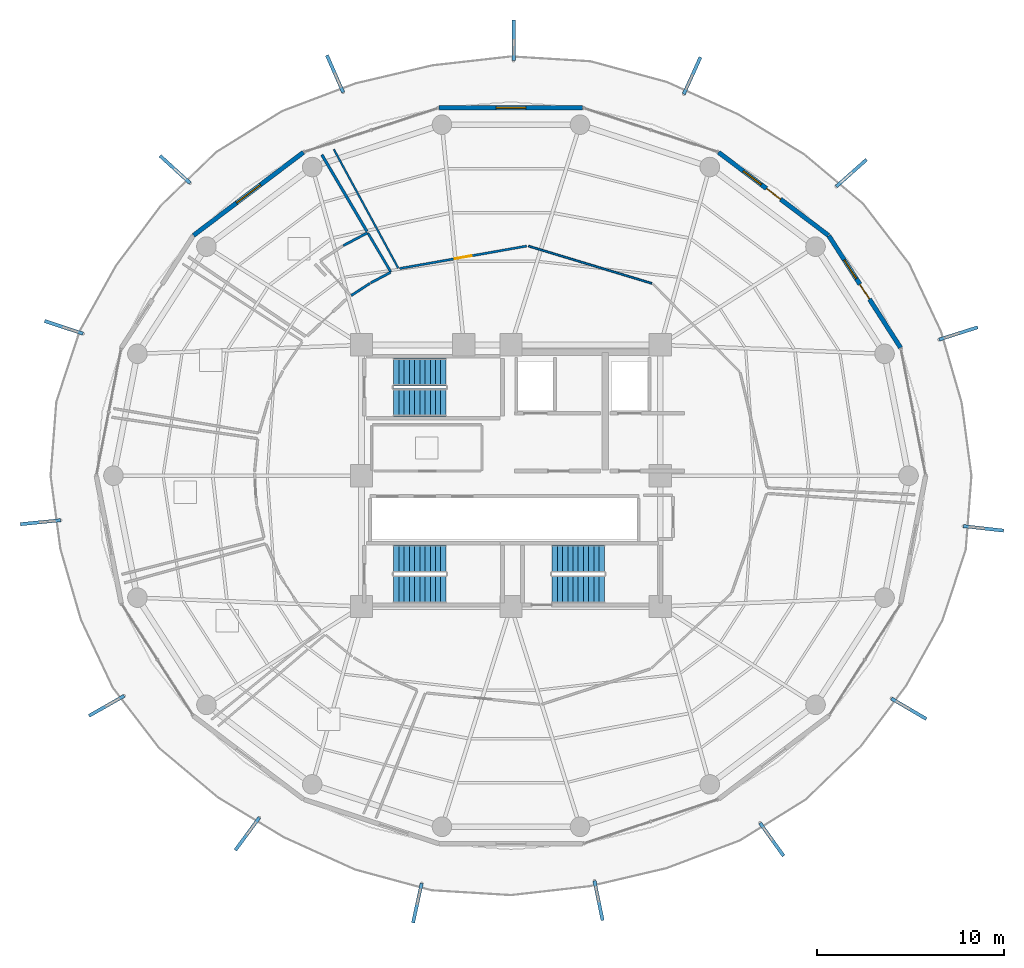
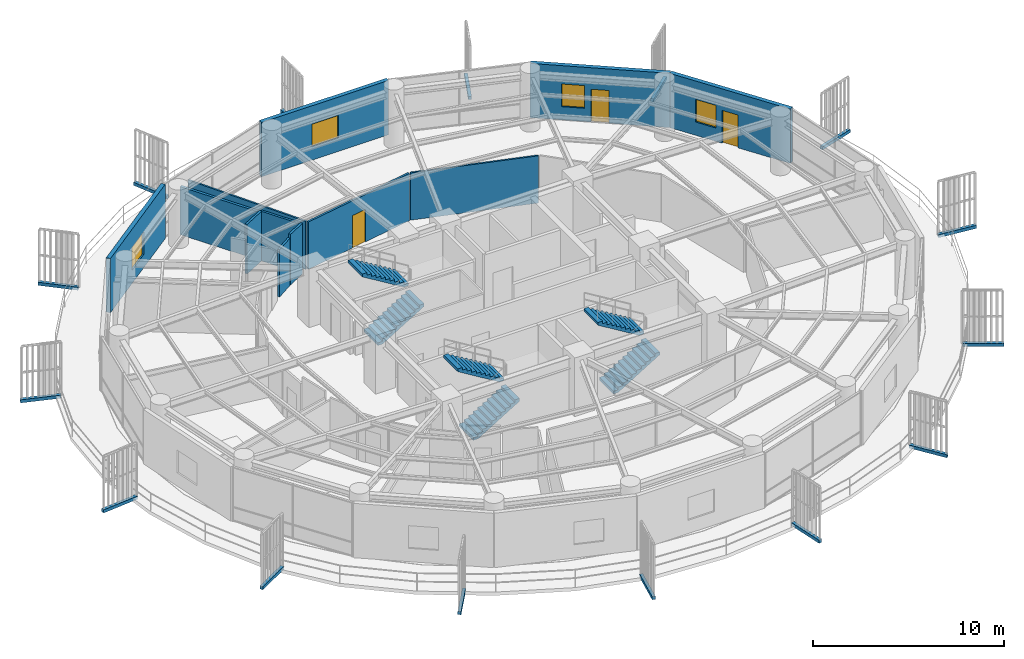
# One storey, part 27 of 31: 15 discrete accessories, 12 walls, 6 stair flights, 4 windows, 3 doors, 7 openings, 3 elements without a shape of their own.
"""IFC4 building model written with IfcOpenShell, lengths in metres."""

from ifc_helpers import new_model, si_unit, direction, frame, frame_2d, origin, origin_2d, place, context, subcontext, project, spatial, polyline, rectangle, outline, extrude, source, transform, mapped, material, layer, layer_set, type_object, element, fill, aggregate, save


model = new_model("IFC4")

# Units and contexts
model_context = context("Model", 3, precision=1e-05, world=origin(), true_north=direction((0.0, 1.0)))
body_context = subcontext(model_context, "Body", "Model", "MODEL_VIEW")
ifc_project = project(units=[si_unit("LENGTHUNIT", "METRE"), si_unit("AREAUNIT", "SQUARE_METRE"), si_unit("VOLUMEUNIT", "CUBIC_METRE"), si_unit("PLANEANGLEUNIT", "RADIAN"), si_unit("MASSUNIT", "GRAM", prefix="KILO")], contexts=[model_context])

# Site, building, storey
site_placement = place(None, origin())
site = spatial("IfcSite", under=ifc_project, at=site_placement, CompositionType="ELEMENT")
building_placement = place(site_placement, origin())
building = spatial("IfcBuilding", under=site, at=building_placement, Name="Kelanora Arch Commons", CompositionType="ELEMENT")
storey_placement = place(building_placement, frame((0.0, 0.0, 193.199951171875)))
storey = spatial("IfcBuildingStorey", under=building, at=storey_placement, Name="L49", CompositionType="ELEMENT", Elevation=193.199951171875)

# Wall
ifc_material_1 = material(Name="Autoclaved aerated concrete blockwork with fire plaster", Category="masonry")
ifc_layer_1 = layer(ifc_material_1, 0.14990234375)
ifc_layer_set_1 = layer_set([ifc_layer_1], Name="Autoclaved aerated concrete blockwork with fire plaster")
wall_type_1 = type_object("IfcWallType", Name="W-COMP-150", PredefinedType="PARTITIONING", material=ifc_layer_set_1)
wall_1_placement = place(storey_placement, frame((63.875244140625, 75.181396484375, 0.0), z_axis=(0.0, 0.0, 1.0), x_axis=(0.507441443334, -0.861686243123, 0.0)))
element("IfcWall", 1, at=wall_1_placement, inside=storey, type_object=wall_type_1, Name="Co-Living Studio L49-01 Enclosure Partition 5", PredefinedType="PARTITIONING", context=body_context, shape_type="SweptSolid", body=[
    extrude(rectangle(XDim=4.76025390625, YDim=0.14990234375, at=frame_2d((2.380126953125, 0.0))), origin(), (0.0, 0.0, 1.0), 3.074951171875),
])

# Wall, openings, door, window
ifc_material_2 = material(Name="Precast concrete C40/50 upper-zone terracotta rainscreen", Category="masonry")
ifc_layer_2 = layer(ifc_material_2, 0.239990234375)
ifc_layer_set_2 = layer_set([ifc_layer_2], Name="Precast concrete C40/50 upper-zone terracotta rainscreen")
wall_type_2 = type_object("IfcWallType", Name="W-EXT-TC2", PredefinedType="SOLIDWALL", material=ifc_layer_set_2)
wall_2_placement = place(storey_placement, frame((94.85302734375, 64.85302734375, 0.0), z_axis=(0.0, 0.0, 1.0), x_axis=(-0.539539512973, 0.841960280501, 0.0)))
wall_2 = element("IfcWall", 2, at=wall_2_placement, inside=storey, type_object=wall_type_2, Name="Terracotta Exterior Wall L49-B01", PredefinedType="SOLIDWALL", context=body_context, shape_type="SweptSolid", body=[
    extrude(rectangle(XDim=7.11474609375, YDim=0.239990234375, at=frame_2d((3.557373046875, 0.0))), origin(), (0.0, 0.0, 1.0), 3.47509765625),
])
opening_1_placement = place(wall_2_placement, frame((3.08203125, 0.0, 0.0)))
opening_1 = element("IfcOpeningElement", 3, at=opening_1_placement, cuts=wall_2, Name="Opening DB-01", PredefinedType="OPENING", context=body_context, shape_type="SweptSolid", body=[
    extrude(rectangle(XDim=0.949951171875, YDim=2.10009765625, at=frame_2d((0.47509765625, 1.050048828125))), frame((0.0, 0.1298828125, 0.0), z_axis=(0.0, -1.0, 0.0), x_axis=(1.0, 0.0, 0.0)), (0.0, 0.0, 1.0), 0.260009765625),
])
opening_2_placement = place(wall_2_placement, frame((4.382080078125, 0.0, 0.85009765625)))
opening_2 = element("IfcOpeningElement", 4, at=opening_2_placement, cuts=wall_2, Name="Opening WN-02", PredefinedType="OPENING", context=body_context, shape_type="SweptSolid", body=[
    extrude(rectangle(XDim=1.199951171875, YDim=1.449951171875, at=frame_2d((0.60009765625, 0.72509765625))), frame((0.0, 0.1298828125, 0.0), z_axis=(0.0, -1.0, 0.0), x_axis=(1.0, 0.0, 0.0)), (0.0, 0.0, 1.0), 0.260009765625),
])
ifc_material_3 = material(Name="Terracotta-aluminium thermally broken glazed balcony door", Category="masonry")
door_type_1 = type_object("IfcDoorType", Name="D-BAL-10", OperationType="NOTDEFINED", PredefinedType="DOOR", material=ifc_material_3)
door_1_placement = place(opening_1_placement, frame((0.949951171875, 0.0, 0.0), z_axis=(0.0, 0.0, 1.0), x_axis=(-1.0, 0.0, 0.0)))
door_1 = element("IfcDoor", 5, at=door_1_placement, inside=storey, type_object=door_type_1, Name="Wave Balcony Door L49-B01", OperationType="SINGLE_SWING_LEFT", OverallHeight=2.10009765625, OverallWidth=0.949951171875, PredefinedType="DOOR", context=body_context, shape_type="SweptSolid", body=[
    extrude(rectangle(XDim=0.949951171875, YDim=2.10009765625, at=frame_2d((0.47509765625, 1.050048828125))), frame((0.0, 0.02490234375, 0.0), z_axis=(0.0, -1.0, 0.0), x_axis=(1.0, 0.0, 0.0)), (0.0, 0.0, 1.0), 0.050048828125),
])
fill(opening_1, door_1)
ifc_material_4 = material(Name="Terracotta-anodised aluminium frame with operable awning sash", Category="masonry")
window_type_1 = type_object("IfcWindowType", Name="WIN-CL-12", PartitioningType="SINGLE_PANEL", PredefinedType="WINDOW", material=ifc_material_4)
window_1_placement = place(opening_2_placement, origin())
window_1 = element("IfcWindow", 6, at=window_1_placement, inside=storey, type_object=window_type_1, Name="Co-Living Operable Window L49-B01", OverallHeight=1.449951171875, OverallWidth=1.199951171875, PartitioningType="SINGLE_PANEL", PredefinedType="WINDOW", context=body_context, shape_type="SweptSolid", body=[
    extrude(rectangle(XDim=1.199951171875, YDim=1.449951171875, at=frame_2d((0.60009765625, 0.72509765625))), frame((0.0, 0.030029296875, 0.0), z_axis=(0.0, -1.0, 0.0), x_axis=(1.0, 0.0, 0.0)), (0.0, 0.0, 1.0), 0.06005859375),
])
fill(opening_2, window_1)

wall_3_placement = place(storey_placement, frame((90.994140625, 70.86474609375, 0.0), z_axis=(0.0, 0.0, 1.0), x_axis=(-0.797701674595, 0.603052268338, 0.0)))
wall_3 = element("IfcWall", 7, at=wall_3_placement, inside=storey, type_object=wall_type_2, Name="Terracotta Exterior Wall L49-B02", PredefinedType="SOLIDWALL", context=body_context, shape_type="SweptSolid", body=[
    extrude(rectangle(XDim=7.373779296875, YDim=0.239990234375, at=frame_2d((3.68701171875, 0.0))), origin(), (0.0, 0.0, 1.0), 3.47509765625),
])
opening_3_placement = place(wall_3_placement, frame((3.2119140625, 0.0, 0.0)))
opening_3 = element("IfcOpeningElement", 8, at=opening_3_placement, cuts=wall_3, Name="Opening DB-01", PredefinedType="OPENING", context=body_context, shape_type="SweptSolid", body=[
    extrude(rectangle(XDim=0.949951171875, YDim=2.10009765625, at=frame_2d((0.47509765625, 1.050048828125))), frame((0.0, 0.1298828125, 0.0), z_axis=(0.0, -1.0, 0.0), x_axis=(1.0, 0.0, 0.0)), (0.0, 0.0, 1.0), 0.260009765625),
])
opening_4_placement = place(wall_3_placement, frame((4.511962890625, 0.0, 0.85009765625)))
opening_4 = element("IfcOpeningElement", 9, at=opening_4_placement, cuts=wall_3, Name="Opening WN-02", PredefinedType="OPENING", context=body_context, shape_type="SweptSolid", body=[
    extrude(rectangle(XDim=1.199951171875, YDim=1.449951171875, at=frame_2d((0.60009765625, 0.72509765625))), frame((0.0, 0.1298828125, 0.0), z_axis=(0.0, -1.0, 0.0), x_axis=(1.0, 0.0, 0.0)), (0.0, 0.0, 1.0), 0.260009765625),
])
door_2_placement = place(opening_3_placement, frame((0.949951171875, 0.0, 0.0), z_axis=(0.0, 0.0, 1.0), x_axis=(-1.0, 0.0, 0.0)))
door_2 = element("IfcDoor", 10, at=door_2_placement, inside=storey, type_object=door_type_1, Name="Wave Balcony Door L49-B02", OperationType="SINGLE_SWING_RIGHT", OverallHeight=2.10009765625, OverallWidth=0.949951171875, PredefinedType="DOOR", context=body_context, shape_type="SweptSolid", body=[
    extrude(rectangle(XDim=0.949951171875, YDim=2.10009765625, at=frame_2d((0.47509765625, 1.050048828125))), frame((0.0, 0.02490234375, 0.0), z_axis=(0.0, -1.0, 0.0), x_axis=(1.0, 0.0, 0.0)), (0.0, 0.0, 1.0), 0.050048828125),
])
fill(opening_3, door_2)
window_2_placement = place(opening_4_placement, origin())
window_2 = element("IfcWindow", 11, at=window_2_placement, inside=storey, type_object=window_type_1, Name="Co-Living Operable Window L49-B02", OverallHeight=1.449951171875, OverallWidth=1.199951171875, PartitioningType="SINGLE_PANEL", PredefinedType="WINDOW", context=body_context, shape_type="SweptSolid", body=[
    extrude(rectangle(XDim=1.199951171875, YDim=1.449951171875, at=frame_2d((0.60009765625, 0.72509765625))), frame((0.0, 0.030029296875, 0.0), z_axis=(0.0, -1.0, 0.0), x_axis=(1.0, 0.0, 0.0)), (0.0, 0.0, 1.0), 0.06005859375),
])
fill(opening_4, window_2)

# Wall, opening, window
wall_4_placement = place(storey_placement, frame((77.840087890625, 77.6962890625, 0.0), z_axis=(0.0, 0.0, 1.0), x_axis=(-1.0, 0.0, 0.0)))
wall_4 = element("IfcWall", 12, at=wall_4_placement, inside=storey, type_object=wall_type_2, Name="Terracotta Exterior Wall L49-B04", PredefinedType="SOLIDWALL", context=body_context, shape_type="SweptSolid", body=[
    extrude(rectangle(XDim=7.68017578125, YDim=0.239990234375, at=frame_2d((3.840087890625, 0.0))), origin(), (0.0, 0.0, 1.0), 3.47509765625),
])
opening_5_placement = place(wall_4_placement, frame((3.0400390625, 0.0, 0.85009765625)))
opening_5 = element("IfcOpeningElement", 13, at=opening_5_placement, cuts=wall_4, Name="Opening WN-01", PredefinedType="OPENING", context=body_context, shape_type="SweptSolid", body=[
    extrude(rectangle(XDim=1.60009765625, YDim=1.449951171875, at=frame_2d((0.800048828125, 0.72509765625))), frame((0.0, 0.1298828125, 0.0), z_axis=(0.0, -1.0, 0.0), x_axis=(1.0, 0.0, 0.0)), (0.0, 0.0, 1.0), 0.260009765625),
])
ifc_material_5 = material(Name="Terracotta-anodised aluminium frame with operable low-E glazing", Category="masonry")
window_type_2 = type_object("IfcWindowType", Name="WIN-CL-18", PartitioningType="DOUBLE_PANEL_VERTICAL", PredefinedType="WINDOW", material=ifc_material_5)
window_3_placement = place(opening_5_placement, origin())
window_3 = element("IfcWindow", 14, at=window_3_placement, inside=storey, type_object=window_type_2, Name="Co-Living Operable Window L49-B04", OverallHeight=1.449951171875, OverallWidth=1.60009765625, PartitioningType="SINGLE_PANEL", PredefinedType="WINDOW", context=body_context, shape_type="SweptSolid", body=[
    extrude(rectangle(XDim=1.60009765625, YDim=1.449951171875, at=frame_2d((0.800048828125, 0.72509765625))), frame((0.0, 0.030029296875, 0.0), z_axis=(0.0, -1.0, 0.0), x_axis=(1.0, 0.0, 0.0)), (0.0, 0.0, 1.0), 0.06005859375),
])
fill(opening_5, window_3)

wall_5_placement = place(storey_placement, frame((62.887939453125, 75.3115234375, 0.0), z_axis=(0.0, 0.0, 1.0), x_axis=(-0.797701674595, -0.603052268338, 0.0)))
wall_5 = element("IfcWall", 15, at=wall_5_placement, inside=storey, type_object=wall_type_2, Name="Terracotta Exterior Wall L49-B06", PredefinedType="SOLIDWALL", context=body_context, shape_type="SweptSolid", body=[
    extrude(rectangle(XDim=7.373779296875, YDim=0.239990234375, at=frame_2d((3.68701171875, 0.0))), origin(), (0.0, 0.0, 1.0), 3.47509765625),
])
opening_6_placement = place(wall_5_placement, frame((2.886962890625, 0.0, 0.85009765625)))
opening_6 = element("IfcOpeningElement", 16, at=opening_6_placement, cuts=wall_5, Name="Opening WN-01", PredefinedType="OPENING", context=body_context, shape_type="SweptSolid", body=[
    extrude(rectangle(XDim=1.60009765625, YDim=1.449951171875, at=frame_2d((0.800048828125, 0.72509765625))), frame((0.0, 0.1298828125, 0.0), z_axis=(0.0, -1.0, 0.0), x_axis=(1.0, 0.0, 0.0)), (0.0, 0.0, 1.0), 0.260009765625),
])
window_4_placement = place(opening_6_placement, origin())
window_4 = element("IfcWindow", 17, at=window_4_placement, inside=storey, type_object=window_type_2, Name="Co-Living Operable Window L49-B06", OverallHeight=1.449951171875, OverallWidth=1.60009765625, PartitioningType="SINGLE_PANEL", PredefinedType="WINDOW", context=body_context, shape_type="SweptSolid", body=[
    extrude(rectangle(XDim=1.60009765625, YDim=1.449951171875, at=frame_2d((0.800048828125, 0.72509765625))), frame((0.0, 0.030029296875, 0.0), z_axis=(0.0, -1.0, 0.0), x_axis=(1.0, 0.0, 0.0)), (0.0, 0.0, 1.0), 0.06005859375),
])
fill(opening_6, window_4)

# Walls
ifc_material_6 = material(Name="Lightweight fire-rated acoustic stud partition")
ifc_layer_3 = layer(ifc_material_6, 0.10009765625)
ifc_layer_set_3 = layer_set([ifc_layer_3], Name="Lightweight fire-rated acoustic stud partition")
wall_type_3 = type_object("IfcWallType", Name="W-PART-100", PredefinedType="PARTITIONING", material=ifc_layer_set_3)
wall_6_placement = place(storey_placement, frame((81.539794921875, 68.293701171875, 0.0), z_axis=(0.0, 0.0, 1.0), x_axis=(-0.957116317848, 0.289703907654, 0.0)))
element("IfcWall", 18, at=wall_6_placement, inside=storey, type_object=wall_type_3, Name="North-East Shared Cluster Kitchen L49 Enclosure Partition 3", PredefinedType="PARTITIONING", context=body_context, shape_type="SweptSolid", body=[
    extrude(rectangle(XDim=6.8994140625, YDim=0.10009765625, at=frame_2d((3.44970703125, 0.0))), origin(), (0.0, 0.0, 1.0), 3.025146484375),
])
wall_7_placement = place(storey_placement, frame((67.9619140625, 69.1171875, 0.0), z_axis=(0.0, 0.0, 1.0), x_axis=(-0.476664873876, 0.879085091452, 0.0)))
element("IfcWall", 19, at=wall_7_placement, inside=storey, type_object=wall_type_3, Name="North-East Shared Cluster Kitchen L49 Enclosure Partition 5", PredefinedType="PARTITIONING", context=body_context, shape_type="SweptSolid", body=[
    extrude(rectangle(XDim=7.23095703125, YDim=0.10009765625, at=frame_2d((3.615478515625, 0.0))), origin(), (0.0, 0.0, 1.0), 3.074951171875),
])

# Wall, opening, door
ifc_material_7 = material(Name="Acoustic twin-stud fire-rated gypsum partition")
ifc_layer_4 = layer(ifc_material_7, 0.1201171875)
ifc_layer_set_4 = layer_set([ifc_layer_4], Name="Acoustic twin-stud fire-rated gypsum partition")
wall_type_4 = type_object("IfcWallType", Name="W-PART-120", PredefinedType="PARTITIONING", material=ifc_layer_set_4)
wall_8_placement = place(storey_placement, frame((74.8388671875, 70.293701171875, 0.0), z_axis=(0.0, 0.0, 1.0), x_axis=(-0.984743305916, -0.174013279532, 0.0)))
wall_8 = element("IfcWall", 20, at=wall_8_placement, inside=storey, type_object=wall_type_4, Name="North-East Shared Cluster Kitchen L49 Entry Partition", PredefinedType="PARTITIONING", context=body_context, shape_type="SweptSolid", body=[
    extrude(rectangle(XDim=6.904052734375, YDim=0.1201171875, at=frame_2d((3.4521484375, 0.0))), origin(), (0.0, 0.0, 1.0), 3.025146484375),
])
opening_7_placement = place(wall_8_placement, frame((3.001953125, 0.0, 0.0)))
opening_7 = element("IfcOpeningElement", 21, at=opening_7_placement, cuts=wall_8, Name="Opening D-RM1", PredefinedType="OPENING", context=body_context, shape_type="SweptSolid", body=[
    extrude(rectangle(XDim=0.89990234375, YDim=2.080078125, at=frame_2d((0.449951171875, 1.0400390625))), frame((0.0, 0.070068359375, 0.0), z_axis=(0.0, -1.0, 0.0), x_axis=(1.0, 0.0, 0.0)), (0.0, 0.0, 1.0), 0.14013671875),
])
ifc_material_8 = material(Name="Acoustic fire-rated timber study and lounge door", Category="wood")
door_type_2 = type_object("IfcDoorType", Name="D-ROOM-90", OperationType="NOTDEFINED", PredefinedType="DOOR", material=ifc_material_8)
door_3_placement = place(opening_7_placement, origin())
door_3 = element("IfcDoor", 22, at=door_3_placement, inside=storey, type_object=door_type_2, Name="North-East Shared Cluster Kitchen L49 Door", OperationType="SINGLE_SWING_RIGHT", OverallHeight=2.080078125, OverallWidth=0.89990234375, PredefinedType="DOOR", context=body_context, shape_type="SweptSolid", body=[
    extrude(rectangle(XDim=0.89990234375, YDim=2.080078125, at=frame_2d((0.449951171875, 1.0400390625))), frame((0.0, 0.02490234375, 0.0), z_axis=(0.0, -1.0, 0.0), x_axis=(1.0, 0.0, 0.0)), (0.0, 0.0, 1.0), 0.050048828125),
])
fill(opening_7, door_3)

# Walls
ifc_material_9 = material(Name="Moisture-resistant fire-rated cement-board plumbing wall")
ifc_layer_5 = layer(ifc_material_9, 0.1298828125)
ifc_layer_set_5 = layer_set([ifc_layer_5], Name="Moisture-resistant fire-rated cement-board plumbing wall")
wall_type_5 = type_object("IfcWallType", Name="W-WET-120", PredefinedType="PLUMBINGWALL", material=ifc_layer_set_5)
wall_9_placement = place(storey_placement, frame((67.557373046875, 68.8876953125, 0.0), z_axis=(0.0, 0.0, 1.0), x_axis=(-0.883222814273, -0.468953580162, 0.0)))
element("IfcWall", 23, at=wall_9_placement, inside=storey, type_object=wall_type_5, Name="En-Suite Shower WC L49-01 Enclosure Partition 1", PredefinedType="PLUMBINGWALL", context=body_context, shape_type="SweptSolid", body=[
    extrude(rectangle(XDim=1.2099609375, YDim=0.1298828125, at=frame_2d((0.60498046875, 0.0))), origin(), (0.0, 0.0, 1.0), 3.235107421875),
])
wall_10_placement = place(storey_placement, frame((66.4541015625, 68.300048828125, 0.0), z_axis=(0.0, 0.0, 1.0), x_axis=(-0.838229624715, -0.545317427055, 0.0)))
element("IfcWall", 24, at=wall_10_placement, inside=storey, type_object=wall_type_5, Name="En-Suite Shower WC L49-01 Enclosure Partition 2", PredefinedType="PLUMBINGWALL", context=body_context, shape_type="SweptSolid", body=[
    extrude(rectangle(XDim=1.199462890625, YDim=0.1298828125, at=frame_2d((0.599609375, 0.0))), origin(), (0.0, 0.0, 1.0), 3.025146484375),
])
wall_11_placement = place(storey_placement, frame((65.02880859375, 70.3193359375, 0.0), z_axis=(0.0, 0.0, 1.0), x_axis=(0.883161427893, 0.469069176436, 0.0)))
element("IfcWall", 25, at=wall_11_placement, inside=storey, type_object=wall_type_5, Name="En-Suite Shower WC L49-01 Enclosure Partition 5", PredefinedType="PLUMBINGWALL", context=body_context, shape_type="SweptSolid", body=[
    extrude(rectangle(XDim=1.4521484375, YDim=0.1298828125, at=frame_2d((0.72607421875, 0.0))), origin(), (0.0, 0.0, 1.0), 3.175048828125),
])
wall_12_placement = place(storey_placement, frame((66.339111328125, 70.992919921875, 0.0), z_axis=(0.0, 0.0, 1.0), x_axis=(0.507904175511, -0.861413575757, 0.0)))
element("IfcWall", 26, at=wall_12_placement, inside=storey, type_object=wall_type_5, Name="En-Suite Shower WC L49-01 Enclosure Partition 6", PredefinedType="PLUMBINGWALL", context=body_context, shape_type="SweptSolid", body=[
    extrude(rectangle(XDim=2.4130859375, YDim=0.1298828125, at=frame_2d((1.20654296875, 0.0))), origin(), (0.0, 0.0, 1.0), 3.175048828125),
])

# Stair, stair flights
ifc_material_10 = material(Name="Concrete C40/50", Category="concrete")
stair_type = type_object("IfcStairType", Name="STR-DL-375", PredefinedType="HALF_TURN_STAIR", material=ifc_material_10)
stair_1_placement = place(storey_placement, origin())
stair_1 = element("IfcStair", 27, at=stair_1_placement, inside=storey, type_object=stair_type, Name="L49 ST-T1", PredefinedType="HALF_TURN_STAIR")
stair_flight_type = type_object("IfcStairFlightType", Name="FLT-DL-375", PredefinedType="STRAIGHT", material=ifc_material_10)
stair_flight_1_placement = place(storey_placement, frame((67.719970703125, 61.919921875, 0.0), z_axis=(0.0, 0.0, 1.0), x_axis=(1.0, 0.0, 0.0)))
stair_flight_1 = element("IfcStairFlight", 28, at=stair_flight_1_placement, type_object=stair_flight_type, Name="ST-T1 flight 1", NumberOfRisers=11, NumberOfTreads=10, PredefinedType="STRAIGHT", RiserHeight=0.170454545, TreadLength=0.28, context=body_context, shape_type="SweptSolid", body=[
    extrude(outline(polyline([(0.0, 0.0), (0.0, 0.17041015625), (0.280029296875, 0.17041015625), (0.280029296875, 0.3408203125), (0.56005859375, 0.3408203125), (0.56005859375, 0.511474609375), (0.840087890625, 0.511474609375), (0.840087890625, 0.681884765625), (1.1201171875, 0.681884765625), (1.1201171875, 0.852294921875), (1.39990234375, 0.852294921875), (1.39990234375, 1.022705078125), (1.679931640625, 1.022705078125), (1.679931640625, 1.193115234375), (1.9599609375, 1.193115234375), (1.9599609375, 1.363525390625), (2.239990234375, 1.363525390625), (2.239990234375, 1.5341796875), (2.52001953125, 1.5341796875), (2.52001953125, 1.70458984375), (2.800048828125, 1.70458984375), (2.800048828125, 1.875), (2.800048828125, 1.529052734375), (0.288330078125, 0.0), (0.0, 0.0)])), frame((0.0, 0.739990234375, 0.0), z_axis=(0.0, -1.0, 0.0), x_axis=(1.0, 0.0, 0.0)), (0.0, 0.0, 1.0), 1.47998046875),
])
stair_flight_2_placement = place(storey_placement, frame((70.52001953125, 63.550048828125, 1.875), z_axis=(0.0, 0.0, 1.0), x_axis=(-1.0, 0.0, 0.0)))
stair_flight_2 = element("IfcStairFlight", 29, at=stair_flight_2_placement, type_object=stair_flight_type, Name="ST-T1 flight 2", NumberOfRisers=11, NumberOfTreads=10, PredefinedType="STRAIGHT", RiserHeight=0.170454545, TreadLength=0.28, context=body_context, shape_type="SweptSolid", body=[
    extrude(outline(polyline([(0.0, 0.0), (0.0, 0.17041015625), (0.280029296875, 0.17041015625), (0.280029296875, 0.3408203125), (0.56005859375, 0.3408203125), (0.56005859375, 0.511474609375), (0.840087890625, 0.511474609375), (0.840087890625, 0.681884765625), (1.1201171875, 0.681884765625), (1.1201171875, 0.852294921875), (1.39990234375, 0.852294921875), (1.39990234375, 1.022705078125), (1.679931640625, 1.022705078125), (1.679931640625, 1.193115234375), (1.9599609375, 1.193115234375), (1.9599609375, 1.363525390625), (2.239990234375, 1.363525390625), (2.239990234375, 1.5341796875), (2.52001953125, 1.5341796875), (2.52001953125, 1.70458984375), (2.800048828125, 1.70458984375), (2.800048828125, 1.875), (2.800048828125, 1.529052734375), (0.288330078125, 0.0), (0.0, 0.0)])), frame((0.0, 0.739990234375, 0.0), z_axis=(0.0, -1.0, 0.0), x_axis=(1.0, 0.0, 0.0)), (0.0, 0.0, 1.0), 1.47998046875),
])
aggregate(stair_1, [stair_flight_1, stair_flight_2])

stair_2_placement = place(storey_placement, origin())
stair_2 = element("IfcStair", 30, at=stair_2_placement, inside=storey, type_object=stair_type, Name="L49 ST-T2", PredefinedType="HALF_TURN_STAIR")
stair_flight_3_placement = place(storey_placement, frame((76.199951171875, 51.919921875, 0.0), z_axis=(0.0, 0.0, 1.0), x_axis=(1.0, 0.0, 0.0)))
stair_flight_3 = element("IfcStairFlight", 31, at=stair_flight_3_placement, type_object=stair_flight_type, Name="ST-T2 flight 1", NumberOfRisers=11, NumberOfTreads=10, PredefinedType="STRAIGHT", RiserHeight=0.170454545, TreadLength=0.28, context=body_context, shape_type="SweptSolid", body=[
    extrude(outline(polyline([(0.0, 0.0), (0.0, 0.17041015625), (0.280029296875, 0.17041015625), (0.280029296875, 0.3408203125), (0.56005859375, 0.3408203125), (0.56005859375, 0.511474609375), (0.840087890625, 0.511474609375), (0.840087890625, 0.681884765625), (1.1201171875, 0.681884765625), (1.1201171875, 0.852294921875), (1.39990234375, 0.852294921875), (1.39990234375, 1.022705078125), (1.679931640625, 1.022705078125), (1.679931640625, 1.193115234375), (1.9599609375, 1.193115234375), (1.9599609375, 1.363525390625), (2.239990234375, 1.363525390625), (2.239990234375, 1.5341796875), (2.52001953125, 1.5341796875), (2.52001953125, 1.70458984375), (2.800048828125, 1.70458984375), (2.800048828125, 1.875), (2.800048828125, 1.529052734375), (0.288330078125, 0.0), (0.0, 0.0)])), frame((0.0, 0.739990234375, 0.0), z_axis=(0.0, -1.0, 0.0), x_axis=(1.0, 0.0, 0.0)), (0.0, 0.0, 1.0), 1.47998046875),
])
stair_flight_4_placement = place(storey_placement, frame((79.0, 53.550048828125, 1.875), z_axis=(0.0, 0.0, 1.0), x_axis=(-1.0, 0.0, 0.0)))
stair_flight_4 = element("IfcStairFlight", 32, at=stair_flight_4_placement, type_object=stair_flight_type, Name="ST-T2 flight 2", NumberOfRisers=11, NumberOfTreads=10, PredefinedType="STRAIGHT", RiserHeight=0.170454545, TreadLength=0.28, context=body_context, shape_type="SweptSolid", body=[
    extrude(outline(polyline([(0.0, 0.0), (0.0, 0.17041015625), (0.280029296875, 0.17041015625), (0.280029296875, 0.3408203125), (0.56005859375, 0.3408203125), (0.56005859375, 0.511474609375), (0.840087890625, 0.511474609375), (0.840087890625, 0.681884765625), (1.1201171875, 0.681884765625), (1.1201171875, 0.852294921875), (1.39990234375, 0.852294921875), (1.39990234375, 1.022705078125), (1.679931640625, 1.022705078125), (1.679931640625, 1.193115234375), (1.9599609375, 1.193115234375), (1.9599609375, 1.363525390625), (2.239990234375, 1.363525390625), (2.239990234375, 1.5341796875), (2.52001953125, 1.5341796875), (2.52001953125, 1.70458984375), (2.800048828125, 1.70458984375), (2.800048828125, 1.875), (2.800048828125, 1.529052734375), (0.288330078125, 0.0), (0.0, 0.0)])), frame((0.0, 0.739990234375, 0.0), z_axis=(0.0, -1.0, 0.0), x_axis=(1.0, 0.0, 0.0)), (0.0, 0.0, 1.0), 1.47998046875),
])
aggregate(stair_2, [stair_flight_3, stair_flight_4])

stair_3_placement = place(storey_placement, origin())
stair_3 = element("IfcStair", 33, at=stair_3_placement, inside=storey, type_object=stair_type, Name="L49 ST-T3", PredefinedType="HALF_TURN_STAIR")
stair_flight_5_placement = place(storey_placement, frame((67.719970703125, 51.919921875, 0.0), z_axis=(0.0, 0.0, 1.0), x_axis=(1.0, 0.0, 0.0)))
stair_flight_5 = element("IfcStairFlight", 34, at=stair_flight_5_placement, type_object=stair_flight_type, Name="ST-T3 flight 1", NumberOfRisers=11, NumberOfTreads=10, PredefinedType="STRAIGHT", RiserHeight=0.170454545, TreadLength=0.28, context=body_context, shape_type="SweptSolid", body=[
    extrude(outline(polyline([(0.0, 0.0), (0.0, 0.17041015625), (0.280029296875, 0.17041015625), (0.280029296875, 0.3408203125), (0.56005859375, 0.3408203125), (0.56005859375, 0.511474609375), (0.840087890625, 0.511474609375), (0.840087890625, 0.681884765625), (1.1201171875, 0.681884765625), (1.1201171875, 0.852294921875), (1.39990234375, 0.852294921875), (1.39990234375, 1.022705078125), (1.679931640625, 1.022705078125), (1.679931640625, 1.193115234375), (1.9599609375, 1.193115234375), (1.9599609375, 1.363525390625), (2.239990234375, 1.363525390625), (2.239990234375, 1.5341796875), (2.52001953125, 1.5341796875), (2.52001953125, 1.70458984375), (2.800048828125, 1.70458984375), (2.800048828125, 1.875), (2.800048828125, 1.529052734375), (0.288330078125, 0.0), (0.0, 0.0)])), frame((0.0, 0.739990234375, 0.0), z_axis=(0.0, -1.0, 0.0), x_axis=(1.0, 0.0, 0.0)), (0.0, 0.0, 1.0), 1.47998046875),
])
stair_flight_6_placement = place(storey_placement, frame((70.52001953125, 53.550048828125, 1.875), z_axis=(0.0, 0.0, 1.0), x_axis=(-1.0, 0.0, 0.0)))
stair_flight_6 = element("IfcStairFlight", 35, at=stair_flight_6_placement, type_object=stair_flight_type, Name="ST-T3 flight 2", NumberOfRisers=11, NumberOfTreads=10, PredefinedType="STRAIGHT", RiserHeight=0.170454545, TreadLength=0.28, context=body_context, shape_type="SweptSolid", body=[
    extrude(outline(polyline([(0.0, 0.0), (0.0, 0.17041015625), (0.280029296875, 0.17041015625), (0.280029296875, 0.3408203125), (0.56005859375, 0.3408203125), (0.56005859375, 0.511474609375), (0.840087890625, 0.511474609375), (0.840087890625, 0.681884765625), (1.1201171875, 0.681884765625), (1.1201171875, 0.852294921875), (1.39990234375, 0.852294921875), (1.39990234375, 1.022705078125), (1.679931640625, 1.022705078125), (1.679931640625, 1.193115234375), (1.9599609375, 1.193115234375), (1.9599609375, 1.363525390625), (2.239990234375, 1.363525390625), (2.239990234375, 1.5341796875), (2.52001953125, 1.5341796875), (2.52001953125, 1.70458984375), (2.800048828125, 1.70458984375), (2.800048828125, 1.875), (2.800048828125, 1.529052734375), (0.288330078125, 0.0), (0.0, 0.0)])), frame((0.0, 0.739990234375, 0.0), z_axis=(0.0, -1.0, 0.0), x_axis=(1.0, 0.0, 0.0)), (0.0, 0.0, 1.0), 1.47998046875),
])
aggregate(stair_3, [stair_flight_5, stair_flight_6])

# Discrete accessories
ifc_material_11 = material(Name="Stainless steel 316 marine fin bracket", Category="steel")
discrete_accessory_type = type_object("IfcDiscreteAccessoryType", Name="ACC-FIN-BRK", PredefinedType="BRACKET", material=ifc_material_11)
shared_shape = source(origin(), body_context, "Body", "SweptSolid", [
    extrude(rectangle(XDim=2.16796875, YDim=0.179931640625, at=origin_2d()), origin(), (0.0, 0.0, 1.0), 0.199951171875),
])
for number, where, z_axis, x_axis, name in (
    (36, (95.296630859375, 45.52685546875, -0.16015625), (0.0, 0.0, 1.0), (0.862866737202, -0.505431492718, 0.0), "Sweeping Fin Cantilever Spine Bracket L49-00"),
    (37, (99.292724609375, 55.18212890625, -0.16015625), (0.0, 0.0, 1.0), (0.993845496974, -0.110775124211, 0.0), "Sweeping Fin Cantilever Spine Bracket L49-01"),
    (38, (97.946044921875, 65.615966796875, -0.16015625), (0.0, 0.0, 1.0), (0.952979341517, 0.303035269633, 0.0), "Sweeping Fin Cantilever Spine Bracket L49-02"),
    (39, (92.2216796875, 74.202392578125, -0.16015625), (0.0, 0.0, 1.0), (0.747334400366, 0.664448112368, 0.0), "Sweeping Fin Cantilever Spine Bracket L49-03"),
    (40, (83.6943359375, 79.413818359375, -0.16015625), (0.0, 0.0, 1.0), (0.412468552072, 0.910971840153, 0.0), "Sweeping Fin Cantilever Spine Bracket L49-04"),
    (41, (74.145263671875, 81.301025390625, -0.16015625), (0.0, 0.0, 1.0), (0.006283143966, 0.999980260856, 0.0), "Sweeping Fin Cantilever Spine Bracket L49-05"),
    (42, (64.582275390625, 79.51220703125, -0.16015625), (0.0, 0.0, 1.0), (-0.400988676813, 0.916083009922, 0.0), "Sweeping Fin Cantilever Spine Bracket L49-06"),
    (43, (56.018310546875, 74.394775390625, -0.16015625), (0.0, 0.0, 1.0), (-0.738925912503, 0.673786684219, 0.0), "Sweeping Fin Cantilever Spine Bracket L49-07"),
    (44, (50.06591796875, 65.94189453125, -0.16015625), (0.0, 0.0, 1.0), (-0.94909614499, 0.314986519655, 0.0), "Sweeping Fin Cantilever Spine Bracket L49-08"),
    (45, (48.817138671875, 55.51171875, -0.16015625), (0.0, 0.0, 1.0), (-0.995159031741, -0.09827767572, 0.0), "Sweeping Fin Cantilever Spine Bracket L49-09"),
    (46, (52.355712890625, 45.682861328125, -0.16015625), (0.0, 0.0, 1.0), (-0.869149881167, -0.494548768138, 0.0), "Sweeping Fin Cantilever Spine Bracket L49-10"),
    (47, (59.888427734375, 38.829345703125, -0.16015625), (0.0, 0.0, 1.0), (-0.592856820161, -0.805307885711, 0.0), "Sweeping Fin Cantilever Spine Bracket L49-11"),
    (48, (68.988525390625, 35.124755859375, -0.16015625), (0.0, 0.0, 1.0), (-0.214053429014, -0.976821953852, 0.0), "Sweeping Fin Cantilever Spine Bracket L49-12"),
    (49, (78.686767578125, 35.255126953125, -0.16015625), (0.0, 0.0, 1.0), (0.201761744624, -0.979434632023, 0.0), "Sweeping Fin Cantilever Spine Bracket L49-13"),
    (50, (87.961181640625, 38.530029296875, -0.16015625), (0.0, 0.0, 1.0), (0.582690479669, -0.812694164433, 0.0), "Sweeping Fin Cantilever Spine Bracket L49-14"),
):
    element("IfcDiscreteAccessory", number, at=place(storey_placement, frame(where, z_axis=z_axis, x_axis=x_axis)), inside=storey, type_object=discrete_accessory_type, Name=name, PredefinedType="BRACKET", context=body_context, shape_type="MappedRepresentation", body=[
        mapped(shared_shape, transform((0.0, 0.0, 0.0), scale=1.0)),
    ])

save(model, "model.ifc")
